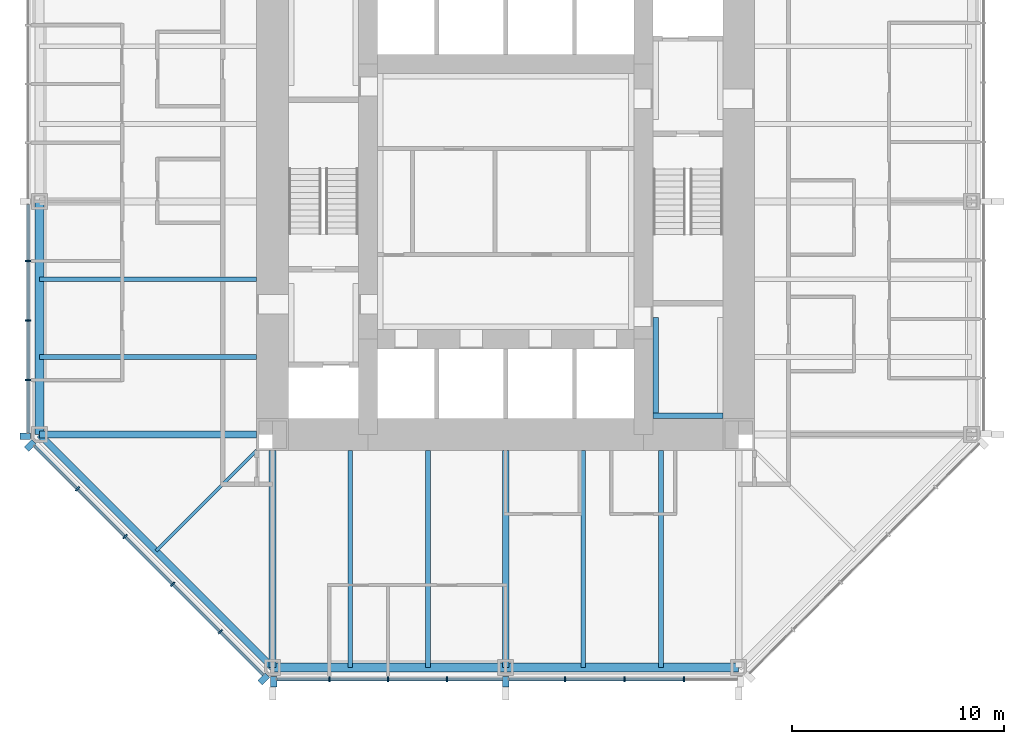
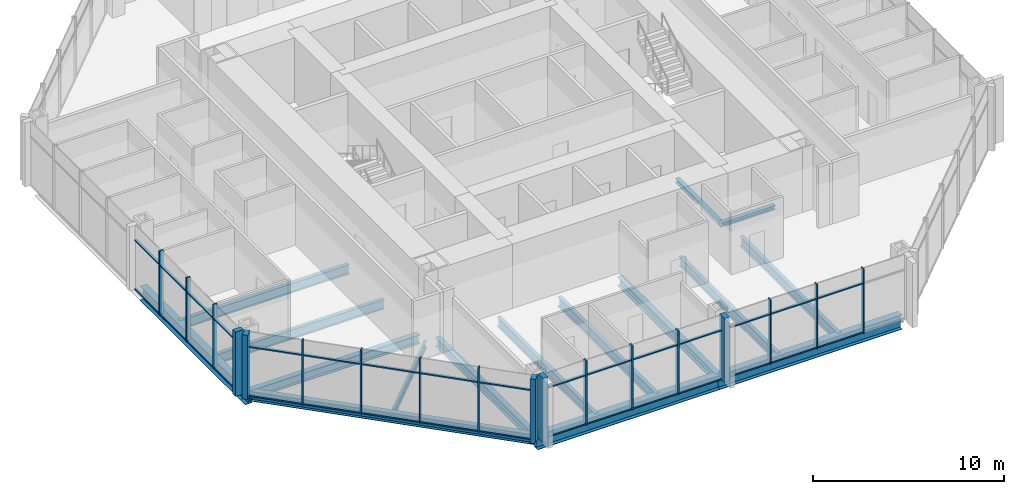
# One storey, part 2 of 12: 50 members, 16 beams, 3 elements without a shape of their own.
"""IFC4 building model written with IfcOpenShell, lengths in metres."""

import ifcopenshell
import ifcopenshell.guid

model = None  # the IFC model being written
_history = None  # IfcOwnerHistory: only IFC2X3 demands one
_inside = {}  # id of a spatial element -> (the spatial element, [elements in it])
_under = {}  # id of a project, library or spatial element -> (it, [spatial elements below it])
_declared = {}  # id of a project -> (the project, [libraries it declares])
_typed = {}  # id of a type object -> (the type object, [elements of that type])
_made_of = {}  # id of a material, layer set ... -> (it, [elements and type objects made of it])


def new_model(schema):
    """Start an empty IFC model of exactly this schema.

    Asked for "IFC4X3", IfcOpenShell would pick the latest addendum, in which some entities
    have other attributes; the version numbers below select the first issue.
    IFC2X3 requires an IfcOwnerHistory on every rooted entity: one is made here for all.
    """
    global model, _history
    if schema == "IFC4X3":
        model = ifcopenshell.file(schema_version=(4, 3, 0, 0))
    else:
        model = ifcopenshell.file(schema=schema)
    _inside.clear()
    _under.clear()
    _declared.clear()
    _typed.clear()
    _made_of.clear()
    _history = None
    if model.schema == "IFC2X3":
        org = make("IfcOrganization", Name="unknown")
        user = make(
            "IfcPersonAndOrganization",
            ThePerson=make("IfcPerson", FamilyName="unknown"),
            TheOrganization=org,
        )
        app = make(
            "IfcApplication",
            ApplicationDeveloper=org,
            Version="unknown",
            ApplicationFullName="unknown",
            ApplicationIdentifier="unknown",
        )
        _history = make(
            "IfcOwnerHistory",
            OwningUser=user,
            OwningApplication=app,
            ChangeAction="ADDED",
            CreationDate=0,
        )
    return model


def make(cls, **values):
    """One entity of the class cls with the attributes given. An attribute that is None is left unset."""
    return model.create_entity(
        cls, **{name: value for name, value in values.items() if value is not None}
    )


def rooted(cls, **values):
    """An entity with a GlobalId (a new one), such as an element, a storey or a relation."""
    return make(cls, GlobalId=ifcopenshell.guid.new(), OwnerHistory=_history, **values)


def si_unit(unit_type, name, prefix=None):
    """IfcSIUnit, for example si_unit("LENGTHUNIT", "METRE", prefix="MILLI")."""
    return make("IfcSIUnit", UnitType=unit_type, Prefix=prefix, Name=name)


def assignment(units):
    """IfcUnitAssignment: the units of a project."""
    return None if units is None else make("IfcUnitAssignment", Units=units)


def point(xyz):
    """IfcCartesianPoint."""
    return None if xyz is None else make("IfcCartesianPoint", Coordinates=xyz)


def direction(xyz):
    """IfcDirection."""
    return None if xyz is None else make("IfcDirection", DirectionRatios=xyz)


def frame(location, z_axis=None, x_axis=None):
    """IfcAxis2Placement3D, a coordinate frame: its origin and axes. An axis left out is left unset."""
    return make(
        "IfcAxis2Placement3D",
        Location=point(location),
        Axis=direction(z_axis),
        RefDirection=direction(x_axis),
    )


def frame_2d(location, x_axis=None):
    """IfcAxis2Placement2D, a coordinate frame in the plane: its origin and x axis."""
    return make(
        "IfcAxis2Placement2D", Location=point(location), RefDirection=direction(x_axis)
    )


def origin():
    """The frame at (0, 0, 0) with its axes left unset."""
    return frame((0.0, 0.0, 0.0))


def origin_2d():
    """The frame at (0, 0) in the plane with its x axis left unset."""
    return frame_2d((0.0, 0.0))


def place(relative_to, where):
    """IfcLocalPlacement: puts the frame where relative to a parent placement (None: the world)."""
    return make(
        "IfcLocalPlacement", PlacementRelTo=relative_to, RelativePlacement=where
    )


def context(
    kind, dimensions, precision=None, world=None, true_north=None, identifier=None
):
    """IfcGeometricRepresentationContext, for example the 3D "Model" context."""
    return make(
        "IfcGeometricRepresentationContext",
        ContextIdentifier=identifier,
        ContextType=kind,
        CoordinateSpaceDimension=dimensions,
        Precision=precision,
        WorldCoordinateSystem=world,
        TrueNorth=true_north,
    )


def subcontext(parent, identifier, kind, view, scale=None):
    """IfcGeometricRepresentationSubContext, for example "Body" below "Model"."""
    return make(
        "IfcGeometricRepresentationSubContext",
        ContextIdentifier=identifier,
        ContextType=kind,
        ParentContext=parent,
        TargetScale=scale,
        TargetView=view,
    )


def project(units=None, contexts=None):
    """IfcProject with its units and contexts."""
    return rooted(
        "IfcProject",
        Name="project",
        RepresentationContexts=contexts,
        UnitsInContext=assignment(units),
    )


def spatial(cls, under=None, at=None, **own):
    """A site, building, storey or space (cls), placed at a placement, below another one or the project."""
    s = rooted(cls, ObjectPlacement=at, **own)
    if under is not None:
        _under.setdefault(under.id(), (under, []))[1].append(s)
    return s


def profile(cls, at=None, kind="AREA", **sizes):
    """A parametric profile (cls). Its sizes go by their IFC names, for example OverallWidth=200.0."""
    return make(cls, ProfileType=kind, Position=at, **sizes)


def rectangle(**sizes):
    """IfcRectangleProfileDef."""
    return profile("IfcRectangleProfileDef", **sizes)


def i_section(**sizes):
    """IfcIShapeProfileDef."""
    return profile("IfcIShapeProfileDef", **sizes)


def extrude(swept, where, along, depth):
    """IfcExtrudedAreaSolid: the profile swept, set in the frame where, extruded along a direction by depth."""
    return make(
        "IfcExtrudedAreaSolid",
        SweptArea=swept,
        Position=where,
        ExtrudedDirection=direction(along),
        Depth=depth,
    )


def shape(context_of_items, identifier, shape_type, items):
    """IfcShapeRepresentation: the items that make up one representation, for example the "Body"."""
    return make(
        "IfcShapeRepresentation",
        ContextOfItems=context_of_items,
        RepresentationIdentifier=identifier,
        RepresentationType=shape_type,
        Items=items,
    )


def material(Name=None, Category=None):
    """IfcMaterial."""
    return make("IfcMaterial", Name=Name, Category=Category)


def material_profile(
    of_material, cross_section, Name=None, Category=None, Priority=None
):
    """IfcMaterialProfile: a cross section and its material."""
    return make(
        "IfcMaterialProfile",
        Name=Name,
        Material=of_material,
        Profile=cross_section,
        Priority=Priority,
        Category=Category,
    )


def profile_set(profiles, Name=None, composite=None):
    """IfcMaterialProfileSet."""
    return make(
        "IfcMaterialProfileSet",
        Name=Name,
        MaterialProfiles=profiles,
        CompositeProfile=composite,
    )


def made_of(thing, what):
    """Note that an element or type object is made of a material, layer set ...; save() writes the relation."""
    if what is not None:
        _made_of.setdefault(what.id(), (what, []))[1].append(thing)
    return thing


def type_object(cls, material=None, **own):
    """A type object (cls), such as IfcWallType, which elements share."""
    return made_of(rooted(cls, **own), material)


def element(
    cls,
    number,
    at=None,
    inside=None,
    cuts=None,
    type_object=None,
    material=None,
    context=None,
    identifier="Body",
    shape_type=None,
    held_by="IfcProductDefinitionShape",
    body=None,
    shapes=None,
    **own,
):
    """One element of the class cls, such as IfcWall. Its Tag is "e" and its number.

    at: its placement. inside: the storey or other place that contains it. cuts: it is an
    opening in that element (IfcRelVoidsElement). A single representation is given by context,
    identifier, shape_type and body (its items); several are given by shapes. held_by: the class
    of the entity that holds the representations. save() writes the other relations.
    """
    e = rooted(cls, Tag="e%d" % number, ObjectPlacement=at, **own)
    if body is not None:
        shapes = [shape(context, identifier, shape_type, body)]
    if shapes is not None:
        e.Representation = make(held_by, Representations=shapes)
    if inside is not None:
        _inside.setdefault(inside.id(), (inside, []))[1].append(e)
    if cuts is not None:
        rooted(
            "IfcRelVoidsElement", RelatingBuildingElement=cuts, RelatedOpeningElement=e
        )
    if type_object is not None:
        _typed.setdefault(type_object.id(), (type_object, []))[1].append(e)
    return made_of(e, material)


def aggregate(whole, parts):
    """IfcRelAggregates: a whole, such as a stair, and the parts it consists of."""
    return rooted("IfcRelAggregates", RelatingObject=whole, RelatedObjects=parts)


def save(model, path):
    """Write the relations noted so far, then the file.

    IfcRelAggregates (storeys below a building ...), IfcRelContainedInSpatialStructure (elements
    in a storey), IfcRelDefinesByType, IfcRelAssociatesMaterial and IfcRelDeclares: one each for
    every whole, place, type object, material and project.
    """
    for whole, parts in _under.values():
        aggregate(whole, parts)
    for where, things in _inside.values():
        rooted(
            "IfcRelContainedInSpatialStructure",
            RelatedElements=things,
            RelatingStructure=where,
        )
    for kind, things in _typed.values():
        rooted("IfcRelDefinesByType", RelatedObjects=things, RelatingType=kind)
    for what, things in _made_of.values():
        rooted("IfcRelAssociatesMaterial", RelatedObjects=things, RelatingMaterial=what)
    for by, libraries in _declared.values():
        rooted("IfcRelDeclares", RelatingContext=by, RelatedDefinitions=libraries)
    model.write(path)


model = new_model("IFC4")

# Units and contexts
model_context = context("Model", 3, precision=1e-05, world=origin(), true_north=direction((0.0, 1.0)))
body_context = subcontext(model_context, "Body", "Model", "MODEL_VIEW")
ifc_project = project(units=[si_unit("LENGTHUNIT", "METRE"), si_unit("AREAUNIT", "SQUARE_METRE"), si_unit("VOLUMEUNIT", "CUBIC_METRE"), si_unit("PLANEANGLEUNIT", "RADIAN"), si_unit("MASSUNIT", "GRAM", prefix="KILO")], contexts=[model_context])

# Site, building, storey
site_placement = place(None, origin())
site = spatial("IfcSite", under=ifc_project, at=site_placement, CompositionType="ELEMENT")
building_placement = place(site_placement, origin())
building = spatial("IfcBuilding", under=site, at=building_placement, Name="Trevanion Tower", CompositionType="ELEMENT")
storey_placement = place(building_placement, frame((0.0, 0.0, 117.199951171875)))
storey = spatial("IfcBuildingStorey", under=building, at=storey_placement, Name="L27", CompositionType="ELEMENT", Elevation=117.199951171875)

# Beams
ifc_material_1 = material(Name="Steel ASTM A992 Grade 50", Category="steel")
ifc_material_profile_1 = material_profile(ifc_material_1, i_section(OverallWidth=0.22900390625, OverallDepth=0.612060546875, WebThickness=0.011962890625, FlangeThickness=0.01953125, at=origin_2d()), Name="W24X84")
ifc_profile_set_1 = profile_set([ifc_material_profile_1], Name="Steel ASTM A992 Grade 50")
beam_type_1 = type_object("IfcBeamType", Name="B7 W24X84", PredefinedType="BEAM", material=ifc_profile_set_1)
for number, where, z_axis, x_axis, name in (
    (1, (-11.75, -3.666748046875, -0.49609375), (-1.0, 0.0, 0.0), (0.0, -1.0, 0.0), "B7 L27"),
    (2, (-11.75, -7.333251953125, -0.49609375), (-1.0, 0.0, 0.0), (0.0, -1.0, 0.0), "B7 L27"),
    (3, (-7.333251953125, -11.75, -0.49609375), (0.0, -1.0, 0.0), (1.0, 0.0, 0.0), "B7 L27"),
    (4, (-3.666748046875, -11.75, -0.49609375), (0.0, -1.0, 0.0), (1.0, 0.0, 0.0), "B7 L27"),
    (5, (3.666748046875, -11.75, -0.49609375), (0.0, -1.0, 0.0), (1.0, 0.0, 0.0), "B7 L27"),
    (6, (7.333251953125, -11.75, -0.49609375), (0.0, -1.0, 0.0), (1.0, 0.0, 0.0), "B7 L27"),
):
    element("IfcBeam", number, at=place(storey_placement, frame(where, z_axis=z_axis, x_axis=x_axis)), inside=storey, type_object=beam_type_1, Name=name, PredefinedType="BEAM", context=body_context, shape_type="SweptSolid", body=[
        extrude(i_section(OverallWidth=0.22900390625, OverallDepth=0.612060546875, WebThickness=0.011962890625, FlangeThickness=0.01953125, at=origin_2d()), origin(), (0.0, 0.0, 1.0), 10.25),
    ])
ifc_material_2 = material(Name="Steel ASTM A992 Grade 50", Category="steel")
ifc_material_profile_2 = material_profile(ifc_material_2, i_section(OverallWidth=0.15234375, OverallDepth=0.449462890625, WebThickness=0.007568359375, FlangeThickness=0.0107421875, at=origin_2d()), Name="W18X35")
ifc_profile_set_2 = profile_set([ifc_material_profile_2], Name="Steel ASTM A992 Grade 50")
beam_type_2 = type_object("IfcBeamType", Name="B8 W18X35", PredefinedType="BEAM", material=ifc_profile_set_2)
beam_1_placement = place(storey_placement, frame((-11.75, -11.75, -0.414794921875), z_axis=(-0.707106781187, -0.707106781187, 0.0), x_axis=(0.707106781187, -0.707106781187, 0.0)))
element("IfcBeam", 7, at=beam_1_placement, inside=storey, type_object=beam_type_2, Name="B8 L27", PredefinedType="BEAM", context=body_context, shape_type="SweptSolid", body=[
    extrude(i_section(OverallWidth=0.15234375, OverallDepth=0.449462890625, WebThickness=0.007568359375, FlangeThickness=0.0107421875, at=origin_2d()), origin(), (0.0, 0.0, 1.0), 6.717529296875),
])

# Curtain wall, members
ifc_material_3 = material(Name="Aluminium and glass", Category="aluminium")
curtain_wall_type = type_object("IfcCurtainWallType", Name="CW2 curtain wall", PredefinedType="USERDEFINED", material=ifc_material_3)
curtain_wall_1_placement = place(storey_placement, origin())
curtain_wall_1 = element("IfcCurtainWall", 8, at=curtain_wall_1_placement, inside=storey, type_object=curtain_wall_type, Name="CW2 L27 4", ObjectType="UNITISED CURTAIN WALL", PredefinedType="USERDEFINED")
ifc_material_4 = material(Name="Aluminium extrusion, anodised bronze", Category="aluminium")
ifc_material_profile_3 = material_profile(ifc_material_4, rectangle(XDim=0.074951171875, YDim=0.25, at=origin_2d()), Name="CW2 mullion")
ifc_profile_set_3 = profile_set([ifc_material_profile_3], Name="Aluminium extrusion, anodised bronze")
member_type_1 = type_object("IfcMemberType", Name="CW2 mullion", PredefinedType="MULLION", material=ifc_profile_set_3)
member_1_placement = place(storey_placement, frame((-22.550048828125, -2.806884765625, -0.18994140625), z_axis=(0.0, 0.0, 1.0), x_axis=(0.0, -1.0, 0.0)))
member_1 = element("IfcMember", 9, at=member_1_placement, type_object=member_type_1, Name="CW2 mullion 6", PredefinedType="MULLION", context=body_context, shape_type="SweptSolid", body=[
    extrude(rectangle(XDim=0.074951171875, YDim=0.25, at=origin_2d()), origin(), (0.0, 0.0, 1.0), 4.10009765625),
])
member_2_placement = place(storey_placement, frame((-22.550048828125, -5.614013671875, -0.18994140625), z_axis=(0.0, 0.0, 1.0), x_axis=(0.0, -1.0, 0.0)))
member_2 = element("IfcMember", 10, at=member_2_placement, type_object=member_type_1, Name="CW2 mullion 7", PredefinedType="MULLION", context=body_context, shape_type="SweptSolid", body=[
    extrude(rectangle(XDim=0.074951171875, YDim=0.25, at=origin_2d()), origin(), (0.0, 0.0, 1.0), 4.10009765625),
])
member_3_placement = place(storey_placement, frame((-22.550048828125, -8.4208984375, -0.18994140625), z_axis=(0.0, 0.0, 1.0), x_axis=(0.0, -1.0, 0.0)))
member_3 = element("IfcMember", 11, at=member_3_placement, type_object=member_type_1, Name="CW2 mullion 8", PredefinedType="MULLION", context=body_context, shape_type="SweptSolid", body=[
    extrude(rectangle(XDim=0.074951171875, YDim=0.25, at=origin_2d()), origin(), (0.0, 0.0, 1.0), 4.10009765625),
])

curtain_wall_2_placement = place(storey_placement, origin())
curtain_wall_2 = element("IfcCurtainWall", 12, at=curtain_wall_2_placement, inside=storey, type_object=curtain_wall_type, Name="CW2 L27 5", ObjectType="UNITISED CURTAIN WALL", PredefinedType="USERDEFINED")
member_4_placement = place(storey_placement, frame((-20.2119140625, -13.56591796875, -0.18994140625), z_axis=(0.0, 0.0, 1.0), x_axis=(0.707106781187, -0.707106781187, 0.0)))
member_4 = element("IfcMember", 13, at=member_4_placement, type_object=member_type_1, Name="CW2 mullion 2", PredefinedType="MULLION", context=body_context, shape_type="SweptSolid", body=[
    extrude(rectangle(XDim=0.074951171875, YDim=0.25, at=origin_2d()), origin(), (0.0, 0.0, 1.0), 4.10009765625),
])
member_5_placement = place(storey_placement, frame((-17.966064453125, -15.811767578125, -0.18994140625), z_axis=(0.0, 0.0, 1.0), x_axis=(0.707106781187, -0.707106781187, 0.0)))
member_5 = element("IfcMember", 14, at=member_5_placement, type_object=member_type_1, Name="CW2 mullion 3", PredefinedType="MULLION", context=body_context, shape_type="SweptSolid", body=[
    extrude(rectangle(XDim=0.074951171875, YDim=0.25, at=origin_2d()), origin(), (0.0, 0.0, 1.0), 4.10009765625),
])
member_6_placement = place(storey_placement, frame((-15.719970703125, -18.057861328125, -0.18994140625), z_axis=(0.0, 0.0, 1.0), x_axis=(0.707106781187, -0.707106781187, 0.0)))
member_6 = element("IfcMember", 15, at=member_6_placement, type_object=member_type_1, Name="CW2 mullion 4", PredefinedType="MULLION", context=body_context, shape_type="SweptSolid", body=[
    extrude(rectangle(XDim=0.074951171875, YDim=0.25, at=origin_2d()), origin(), (0.0, 0.0, 1.0), 4.10009765625),
])
member_7_placement = place(storey_placement, frame((-13.473876953125, -20.303955078125, -0.18994140625), z_axis=(0.0, 0.0, 1.0), x_axis=(0.707106781187, -0.707106781187, 0.0)))
member_7 = element("IfcMember", 16, at=member_7_placement, type_object=member_type_1, Name="CW2 mullion 5", PredefinedType="MULLION", context=body_context, shape_type="SweptSolid", body=[
    extrude(rectangle(XDim=0.074951171875, YDim=0.25, at=origin_2d()), origin(), (0.0, 0.0, 1.0), 4.10009765625),
])

curtain_wall_3_placement = place(storey_placement, origin())
curtain_wall_3 = element("IfcCurtainWall", 17, at=curtain_wall_3_placement, inside=storey, type_object=curtain_wall_type, Name="CW2 L27 6", ObjectType="UNITISED CURTAIN WALL", PredefinedType="USERDEFINED")
member_8_placement = place(storey_placement, frame((-8.323486328125, -22.550048828125, -0.18994140625), z_axis=(0.0, 0.0, 1.0), x_axis=(1.0, 0.0, 0.0)))
member_8 = element("IfcMember", 18, at=member_8_placement, type_object=member_type_1, Name="CW2 mullion 2", PredefinedType="MULLION", context=body_context, shape_type="SweptSolid", body=[
    extrude(rectangle(XDim=0.074951171875, YDim=0.25, at=origin_2d()), origin(), (0.0, 0.0, 1.0), 4.10009765625),
])
member_9_placement = place(storey_placement, frame((-5.548828125, -22.550048828125, -0.18994140625), z_axis=(0.0, 0.0, 1.0), x_axis=(1.0, 0.0, 0.0)))
member_9 = element("IfcMember", 19, at=member_9_placement, type_object=member_type_1, Name="CW2 mullion 3", PredefinedType="MULLION", context=body_context, shape_type="SweptSolid", body=[
    extrude(rectangle(XDim=0.074951171875, YDim=0.25, at=origin_2d()), origin(), (0.0, 0.0, 1.0), 4.10009765625),
])
member_10_placement = place(storey_placement, frame((-2.7744140625, -22.550048828125, -0.18994140625), z_axis=(0.0, 0.0, 1.0), x_axis=(1.0, 0.0, 0.0)))
member_10 = element("IfcMember", 20, at=member_10_placement, type_object=member_type_1, Name="CW2 mullion 4", PredefinedType="MULLION", context=body_context, shape_type="SweptSolid", body=[
    extrude(rectangle(XDim=0.074951171875, YDim=0.25, at=origin_2d()), origin(), (0.0, 0.0, 1.0), 4.10009765625),
])
member_11_placement = place(storey_placement, frame((2.806884765625, -22.550048828125, -0.18994140625), z_axis=(0.0, 0.0, 1.0), x_axis=(1.0, 0.0, 0.0)))
member_11 = element("IfcMember", 21, at=member_11_placement, type_object=member_type_1, Name="CW2 mullion 6", PredefinedType="MULLION", context=body_context, shape_type="SweptSolid", body=[
    extrude(rectangle(XDim=0.074951171875, YDim=0.25, at=origin_2d()), origin(), (0.0, 0.0, 1.0), 4.10009765625),
])
member_12_placement = place(storey_placement, frame((5.614013671875, -22.550048828125, -0.18994140625), z_axis=(0.0, 0.0, 1.0), x_axis=(1.0, 0.0, 0.0)))
member_12 = element("IfcMember", 22, at=member_12_placement, type_object=member_type_1, Name="CW2 mullion 7", PredefinedType="MULLION", context=body_context, shape_type="SweptSolid", body=[
    extrude(rectangle(XDim=0.074951171875, YDim=0.25, at=origin_2d()), origin(), (0.0, 0.0, 1.0), 4.10009765625),
])
member_13_placement = place(storey_placement, frame((8.4208984375, -22.550048828125, -0.18994140625), z_axis=(0.0, 0.0, 1.0), x_axis=(1.0, 0.0, 0.0)))
member_13 = element("IfcMember", 23, at=member_13_placement, type_object=member_type_1, Name="CW2 mullion 8", PredefinedType="MULLION", context=body_context, shape_type="SweptSolid", body=[
    extrude(rectangle(XDim=0.074951171875, YDim=0.25, at=origin_2d()), origin(), (0.0, 0.0, 1.0), 4.10009765625),
])

# Member
ifc_material_5 = material(Name="Aluminium extrusion, anodised bronze", Category="aluminium")
ifc_material_profile_4 = material_profile(ifc_material_5, rectangle(XDim=0.300048828125, YDim=0.5, at=origin_2d()), Name="CW2 pier mullion")
ifc_profile_set_4 = profile_set([ifc_material_profile_4], Name="Aluminium extrusion, anodised bronze")
member_type_2 = type_object("IfcMemberType", Name="CW2 pier mullion", PredefinedType="MULLION", material=ifc_profile_set_4)
member_14_placement = place(storey_placement, frame((-22.675048828125, -11.077880859375, -0.18994140625), z_axis=(0.0, 0.0, 1.0), x_axis=(0.0, -1.0, 0.0)))
member_14 = element("IfcMember", 24, at=member_14_placement, type_object=member_type_2, Name="CW2 pier mullion 9", PredefinedType="MULLION", context=body_context, shape_type="SweptSolid", body=[
    extrude(rectangle(XDim=0.300048828125, YDim=0.5, at=origin_2d()), origin(), (0.0, 0.0, 1.0), 4.10009765625),
])

member_15_placement = place(storey_placement, frame((-22.4404296875, -11.51416015625, -0.18994140625), z_axis=(0.0, 0.0, 1.0), x_axis=(0.707106781187, -0.707106781187, 0.0)))
member_15 = element("IfcMember", 25, at=member_15_placement, type_object=member_type_2, Name="CW2 pier mullion 1", PredefinedType="MULLION", context=body_context, shape_type="SweptSolid", body=[
    extrude(rectangle(XDim=0.300048828125, YDim=0.5, at=origin_2d()), origin(), (0.0, 0.0, 1.0), 4.10009765625),
])

member_16_placement = place(storey_placement, frame((-11.42236328125, -22.5322265625, -0.18994140625), z_axis=(0.0, 0.0, 1.0), x_axis=(0.707106781187, -0.707106781187, 0.0)))
member_16 = element("IfcMember", 26, at=member_16_placement, type_object=member_type_2, Name="CW2 pier mullion 6", PredefinedType="MULLION", context=body_context, shape_type="SweptSolid", body=[
    extrude(rectangle(XDim=0.300048828125, YDim=0.5, at=origin_2d()), origin(), (0.0, 0.0, 1.0), 4.10009765625),
])

member_17_placement = place(storey_placement, frame((-10.94775390625, -22.675048828125, -0.18994140625), z_axis=(0.0, 0.0, 1.0), x_axis=(1.0, 0.0, 0.0)))
member_17 = element("IfcMember", 27, at=member_17_placement, type_object=member_type_2, Name="CW2 pier mullion 1", PredefinedType="MULLION", context=body_context, shape_type="SweptSolid", body=[
    extrude(rectangle(XDim=0.300048828125, YDim=0.5, at=origin_2d()), origin(), (0.0, 0.0, 1.0), 4.10009765625),
])

member_18_placement = place(storey_placement, frame((0.0, -22.675048828125, -0.18994140625), z_axis=(0.0, 0.0, 1.0), x_axis=(1.0, 0.0, 0.0)))
member_18 = element("IfcMember", 28, at=member_18_placement, type_object=member_type_2, Name="CW2 pier mullion 5", PredefinedType="MULLION", context=body_context, shape_type="SweptSolid", body=[
    extrude(rectangle(XDim=0.300048828125, YDim=0.5, at=origin_2d()), origin(), (0.0, 0.0, 1.0), 4.10009765625),
])

ifc_material_6 = material(Name="Aluminium extrusion, anodised bronze", Category="aluminium")
ifc_material_profile_5 = material_profile(ifc_material_6, rectangle(XDim=0.14990234375, YDim=0.074951171875, at=origin_2d()), Name="CW2 transom")
ifc_profile_set_5 = profile_set([ifc_material_profile_5], Name="Aluminium extrusion, anodised bronze")
member_type_3 = type_object("IfcMemberType", Name="CW2 transom", PredefinedType="USERDEFINED", material=ifc_profile_set_5)
member_19_placement = place(storey_placement, frame((-22.550048828125, -0.14990234375, -0.15234375), z_axis=(0.0, -1.0, 0.0), x_axis=(1.0, 0.0, 0.0)))
member_19 = element("IfcMember", 29, at=member_19_placement, type_object=member_type_3, Name="CW2 transom 5.1", ObjectType="TRANSOM", PredefinedType="USERDEFINED", context=body_context, shape_type="SweptSolid", body=[
    extrude(rectangle(XDim=0.14990234375, YDim=0.074951171875, at=origin_2d()), origin(), (0.0, 0.0, 1.0), 2.619384765625),
])

member_20_placement = place(storey_placement, frame((-22.550048828125, -0.14990234375, 2.9599609375), z_axis=(0.0, -1.0, 0.0), x_axis=(1.0, 0.0, 0.0)))
member_20 = element("IfcMember", 30, at=member_20_placement, type_object=member_type_3, Name="CW2 transom 5.2", ObjectType="TRANSOM", PredefinedType="USERDEFINED", context=body_context, shape_type="SweptSolid", body=[
    extrude(rectangle(XDim=0.14990234375, YDim=0.074951171875, at=origin_2d()), origin(), (0.0, 0.0, 1.0), 2.619384765625),
])

member_21_placement = place(storey_placement, frame((-22.550048828125, -2.844482421875, -0.15234375), z_axis=(0.0, -1.0, 0.0), x_axis=(1.0, 0.0, 0.0)))
member_21 = element("IfcMember", 31, at=member_21_placement, type_object=member_type_3, Name="CW2 transom 6.1", ObjectType="TRANSOM", PredefinedType="USERDEFINED", context=body_context, shape_type="SweptSolid", body=[
    extrude(rectangle(XDim=0.14990234375, YDim=0.074951171875, at=origin_2d()), origin(), (0.0, 0.0, 1.0), 2.73193359375),
])

member_22_placement = place(storey_placement, frame((-22.550048828125, -2.844482421875, 2.9599609375), z_axis=(0.0, -1.0, 0.0), x_axis=(1.0, 0.0, 0.0)))
member_22 = element("IfcMember", 32, at=member_22_placement, type_object=member_type_3, Name="CW2 transom 6.2", ObjectType="TRANSOM", PredefinedType="USERDEFINED", context=body_context, shape_type="SweptSolid", body=[
    extrude(rectangle(XDim=0.14990234375, YDim=0.074951171875, at=origin_2d()), origin(), (0.0, 0.0, 1.0), 2.73193359375),
])

member_23_placement = place(storey_placement, frame((-22.550048828125, -5.6513671875, -0.15234375), z_axis=(0.0, -1.0, 0.0), x_axis=(1.0, 0.0, 0.0)))
member_23 = element("IfcMember", 33, at=member_23_placement, type_object=member_type_3, Name="CW2 transom 7.1", ObjectType="TRANSOM", PredefinedType="USERDEFINED", context=body_context, shape_type="SweptSolid", body=[
    extrude(rectangle(XDim=0.14990234375, YDim=0.074951171875, at=origin_2d()), origin(), (0.0, 0.0, 1.0), 2.73193359375),
])

member_24_placement = place(storey_placement, frame((-22.550048828125, -5.6513671875, 2.9599609375), z_axis=(0.0, -1.0, 0.0), x_axis=(1.0, 0.0, 0.0)))
member_24 = element("IfcMember", 34, at=member_24_placement, type_object=member_type_3, Name="CW2 transom 7.2", ObjectType="TRANSOM", PredefinedType="USERDEFINED", context=body_context, shape_type="SweptSolid", body=[
    extrude(rectangle(XDim=0.14990234375, YDim=0.074951171875, at=origin_2d()), origin(), (0.0, 0.0, 1.0), 2.73193359375),
])

member_25_placement = place(storey_placement, frame((-22.550048828125, -8.45849609375, -0.15234375), z_axis=(0.0, -1.0, 0.0), x_axis=(1.0, 0.0, 0.0)))
member_25 = element("IfcMember", 35, at=member_25_placement, type_object=member_type_3, Name="CW2 transom 8.1", ObjectType="TRANSOM", PredefinedType="USERDEFINED", context=body_context, shape_type="SweptSolid", body=[
    extrude(rectangle(XDim=0.14990234375, YDim=0.074951171875, at=origin_2d()), origin(), (0.0, 0.0, 1.0), 2.46923828125),
])

member_26_placement = place(storey_placement, frame((-22.550048828125, -8.45849609375, 2.9599609375), z_axis=(0.0, -1.0, 0.0), x_axis=(1.0, 0.0, 0.0)))
member_26 = element("IfcMember", 36, at=member_26_placement, type_object=member_type_3, Name="CW2 transom 8.2", ObjectType="TRANSOM", PredefinedType="USERDEFINED", context=body_context, shape_type="SweptSolid", body=[
    extrude(rectangle(XDim=0.14990234375, YDim=0.074951171875, at=origin_2d()), origin(), (0.0, 0.0, 1.0), 2.46923828125),
])

aggregate(curtain_wall_1, [member_1, member_2, member_3, member_14, member_19, member_20, member_21, member_22, member_23, member_24, member_25, member_26])

member_27_placement = place(storey_placement, frame((-22.245849609375, -11.531982421875, -0.15234375), z_axis=(0.707106781187, -0.707106781187, 0.0), x_axis=(0.707106781187, 0.707106781187, 0.0)))
member_27 = element("IfcMember", 37, at=member_27_placement, type_object=member_type_3, Name="CW2 transom 1.1", ObjectType="TRANSOM", PredefinedType="USERDEFINED", context=body_context, shape_type="SweptSolid", body=[
    extrude(rectangle(XDim=0.14990234375, YDim=0.074951171875, at=origin_2d()), origin(), (0.0, 0.0, 1.0), 2.8388671875),
])

member_28_placement = place(storey_placement, frame((-22.245849609375, -11.531982421875, 2.9599609375), z_axis=(0.707106781187, -0.707106781187, 0.0), x_axis=(0.707106781187, 0.707106781187, 0.0)))
member_28 = element("IfcMember", 38, at=member_28_placement, type_object=member_type_3, Name="CW2 transom 1.2", ObjectType="TRANSOM", PredefinedType="USERDEFINED", context=body_context, shape_type="SweptSolid", body=[
    extrude(rectangle(XDim=0.14990234375, YDim=0.074951171875, at=origin_2d()), origin(), (0.0, 0.0, 1.0), 2.8388671875),
])

member_29_placement = place(storey_placement, frame((-20.185546875, -13.59228515625, -0.15234375), z_axis=(0.707106781187, -0.707106781187, 0.0), x_axis=(0.707106781187, 0.707106781187, 0.0)))
member_29 = element("IfcMember", 39, at=member_29_placement, type_object=member_type_3, Name="CW2 transom 2.1", ObjectType="TRANSOM", PredefinedType="USERDEFINED", context=body_context, shape_type="SweptSolid", body=[
    extrude(rectangle(XDim=0.14990234375, YDim=0.074951171875, at=origin_2d()), origin(), (0.0, 0.0, 1.0), 3.1015625),
])

member_30_placement = place(storey_placement, frame((-20.185546875, -13.59228515625, 2.9599609375), z_axis=(0.707106781187, -0.707106781187, 0.0), x_axis=(0.707106781187, 0.707106781187, 0.0)))
member_30 = element("IfcMember", 40, at=member_30_placement, type_object=member_type_3, Name="CW2 transom 2.2", ObjectType="TRANSOM", PredefinedType="USERDEFINED", context=body_context, shape_type="SweptSolid", body=[
    extrude(rectangle(XDim=0.14990234375, YDim=0.074951171875, at=origin_2d()), origin(), (0.0, 0.0, 1.0), 3.1015625),
])

member_31_placement = place(storey_placement, frame((-17.939453125, -15.83837890625, -0.15234375), z_axis=(0.707106781187, -0.707106781187, 0.0), x_axis=(0.707106781187, 0.707106781187, 0.0)))
member_31 = element("IfcMember", 41, at=member_31_placement, type_object=member_type_3, Name="CW2 transom 3.1", ObjectType="TRANSOM", PredefinedType="USERDEFINED", context=body_context, shape_type="SweptSolid", body=[
    extrude(rectangle(XDim=0.14990234375, YDim=0.074951171875, at=origin_2d()), origin(), (0.0, 0.0, 1.0), 3.1015625),
])

member_32_placement = place(storey_placement, frame((-17.939453125, -15.83837890625, 2.9599609375), z_axis=(0.707106781187, -0.707106781187, 0.0), x_axis=(0.707106781187, 0.707106781187, 0.0)))
member_32 = element("IfcMember", 42, at=member_32_placement, type_object=member_type_3, Name="CW2 transom 3.2", ObjectType="TRANSOM", PredefinedType="USERDEFINED", context=body_context, shape_type="SweptSolid", body=[
    extrude(rectangle(XDim=0.14990234375, YDim=0.074951171875, at=origin_2d()), origin(), (0.0, 0.0, 1.0), 3.1015625),
])

member_33_placement = place(storey_placement, frame((-15.693359375, -18.08447265625, -0.15234375), z_axis=(0.707106781187, -0.707106781187, 0.0), x_axis=(0.707106781187, 0.707106781187, 0.0)))
member_33 = element("IfcMember", 43, at=member_33_placement, type_object=member_type_3, Name="CW2 transom 4.1", ObjectType="TRANSOM", PredefinedType="USERDEFINED", context=body_context, shape_type="SweptSolid", body=[
    extrude(rectangle(XDim=0.14990234375, YDim=0.074951171875, at=origin_2d()), origin(), (0.0, 0.0, 1.0), 3.10107421875),
])

member_34_placement = place(storey_placement, frame((-15.693359375, -18.08447265625, 2.9599609375), z_axis=(0.707106781187, -0.707106781187, 0.0), x_axis=(0.707106781187, 0.707106781187, 0.0)))
member_34 = element("IfcMember", 44, at=member_34_placement, type_object=member_type_3, Name="CW2 transom 4.2", ObjectType="TRANSOM", PredefinedType="USERDEFINED", context=body_context, shape_type="SweptSolid", body=[
    extrude(rectangle(XDim=0.14990234375, YDim=0.074951171875, at=origin_2d()), origin(), (0.0, 0.0, 1.0), 3.10107421875),
])

member_35_placement = place(storey_placement, frame((-13.447509765625, -20.33056640625, -0.15234375), z_axis=(0.707149778163, -0.707063781595, 0.0), x_axis=(0.707063781595, 0.707149778163, 0.0)))
member_35 = element("IfcMember", 45, at=member_35_placement, type_object=member_type_3, Name="CW2 transom 5.1", ObjectType="TRANSOM", PredefinedType="USERDEFINED", context=body_context, shape_type="SweptSolid", body=[
    extrude(rectangle(XDim=0.14990234375, YDim=0.074951171875, at=origin_2d()), origin(), (0.0, 0.0, 1.0), 2.8388671875),
])

member_36_placement = place(storey_placement, frame((-13.447509765625, -20.33056640625, 2.9599609375), z_axis=(0.707149778163, -0.707063781595, 0.0), x_axis=(0.707063781595, 0.707149778163, 0.0)))
member_36 = element("IfcMember", 46, at=member_36_placement, type_object=member_type_3, Name="CW2 transom 5.2", ObjectType="TRANSOM", PredefinedType="USERDEFINED", context=body_context, shape_type="SweptSolid", body=[
    extrude(rectangle(XDim=0.14990234375, YDim=0.074951171875, at=origin_2d()), origin(), (0.0, 0.0, 1.0), 2.8388671875),
])

aggregate(curtain_wall_2, [member_15, member_4, member_5, member_6, member_7, member_16, member_27, member_28, member_29, member_30, member_31, member_32, member_33, member_34, member_35, member_36])

member_37_placement = place(storey_placement, frame((-10.7978515625, -22.550048828125, -0.15234375), z_axis=(1.0, 0.0, 0.0), x_axis=(0.0, 1.0, 0.0)))
member_37 = element("IfcMember", 47, at=member_37_placement, type_object=member_type_3, Name="CW2 transom 1.1", ObjectType="TRANSOM", PredefinedType="USERDEFINED", context=body_context, shape_type="SweptSolid", body=[
    extrude(rectangle(XDim=0.14990234375, YDim=0.074951171875, at=origin_2d()), origin(), (0.0, 0.0, 1.0), 2.43701171875),
])

member_38_placement = place(storey_placement, frame((-10.7978515625, -22.550048828125, 2.9599609375), z_axis=(1.0, 0.0, 0.0), x_axis=(0.0, 1.0, 0.0)))
member_38 = element("IfcMember", 48, at=member_38_placement, type_object=member_type_3, Name="CW2 transom 1.2", ObjectType="TRANSOM", PredefinedType="USERDEFINED", context=body_context, shape_type="SweptSolid", body=[
    extrude(rectangle(XDim=0.14990234375, YDim=0.074951171875, at=origin_2d()), origin(), (0.0, 0.0, 1.0), 2.43701171875),
])

member_39_placement = place(storey_placement, frame((-8.285888671875, -22.550048828125, -0.15234375), z_axis=(1.0, 0.0, 0.0), x_axis=(0.0, 1.0, 0.0)))
member_39 = element("IfcMember", 49, at=member_39_placement, type_object=member_type_3, Name="CW2 transom 2.1", ObjectType="TRANSOM", PredefinedType="USERDEFINED", context=body_context, shape_type="SweptSolid", body=[
    extrude(rectangle(XDim=0.14990234375, YDim=0.074951171875, at=origin_2d()), origin(), (0.0, 0.0, 1.0), 2.699462890625),
])

member_40_placement = place(storey_placement, frame((-8.285888671875, -22.550048828125, 2.9599609375), z_axis=(1.0, 0.0, 0.0), x_axis=(0.0, 1.0, 0.0)))
member_40 = element("IfcMember", 50, at=member_40_placement, type_object=member_type_3, Name="CW2 transom 2.2", ObjectType="TRANSOM", PredefinedType="USERDEFINED", context=body_context, shape_type="SweptSolid", body=[
    extrude(rectangle(XDim=0.14990234375, YDim=0.074951171875, at=origin_2d()), origin(), (0.0, 0.0, 1.0), 2.699462890625),
])

member_41_placement = place(storey_placement, frame((-5.511474609375, -22.550048828125, -0.15234375), z_axis=(1.0, 0.0, 0.0), x_axis=(0.0, 1.0, 0.0)))
member_41 = element("IfcMember", 51, at=member_41_placement, type_object=member_type_3, Name="CW2 transom 3.1", ObjectType="TRANSOM", PredefinedType="USERDEFINED", context=body_context, shape_type="SweptSolid", body=[
    extrude(rectangle(XDim=0.14990234375, YDim=0.074951171875, at=origin_2d()), origin(), (0.0, 0.0, 1.0), 2.699462890625),
])

member_42_placement = place(storey_placement, frame((-5.511474609375, -22.550048828125, 2.9599609375), z_axis=(1.0, 0.0, 0.0), x_axis=(0.0, 1.0, 0.0)))
member_42 = element("IfcMember", 52, at=member_42_placement, type_object=member_type_3, Name="CW2 transom 3.2", ObjectType="TRANSOM", PredefinedType="USERDEFINED", context=body_context, shape_type="SweptSolid", body=[
    extrude(rectangle(XDim=0.14990234375, YDim=0.074951171875, at=origin_2d()), origin(), (0.0, 0.0, 1.0), 2.699462890625),
])

member_43_placement = place(storey_placement, frame((-2.737060546875, -22.550048828125, -0.15234375), z_axis=(1.0, 0.0, 0.0), x_axis=(0.0, 1.0, 0.0)))
member_43 = element("IfcMember", 53, at=member_43_placement, type_object=member_type_3, Name="CW2 transom 4.1", ObjectType="TRANSOM", PredefinedType="USERDEFINED", context=body_context, shape_type="SweptSolid", body=[
    extrude(rectangle(XDim=0.14990234375, YDim=0.074951171875, at=origin_2d()), origin(), (0.0, 0.0, 1.0), 2.587158203125),
])

member_44_placement = place(storey_placement, frame((-2.737060546875, -22.550048828125, 2.9599609375), z_axis=(1.0, 0.0, 0.0), x_axis=(0.0, 1.0, 0.0)))
member_44 = element("IfcMember", 54, at=member_44_placement, type_object=member_type_3, Name="CW2 transom 4.2", ObjectType="TRANSOM", PredefinedType="USERDEFINED", context=body_context, shape_type="SweptSolid", body=[
    extrude(rectangle(XDim=0.14990234375, YDim=0.074951171875, at=origin_2d()), origin(), (0.0, 0.0, 1.0), 2.587158203125),
])

member_45_placement = place(storey_placement, frame((0.14990234375, -22.550048828125, -0.15234375), z_axis=(1.0, 0.0, 0.0), x_axis=(0.0, 1.0, 0.0)))
member_45 = element("IfcMember", 55, at=member_45_placement, type_object=member_type_3, Name="CW2 transom 5.1", ObjectType="TRANSOM", PredefinedType="USERDEFINED", context=body_context, shape_type="SweptSolid", body=[
    extrude(rectangle(XDim=0.14990234375, YDim=0.074951171875, at=origin_2d()), origin(), (0.0, 0.0, 1.0), 2.619384765625),
])

member_46_placement = place(storey_placement, frame((0.14990234375, -22.550048828125, 2.9599609375), z_axis=(1.0, 0.0, 0.0), x_axis=(0.0, 1.0, 0.0)))
member_46 = element("IfcMember", 56, at=member_46_placement, type_object=member_type_3, Name="CW2 transom 5.2", ObjectType="TRANSOM", PredefinedType="USERDEFINED", context=body_context, shape_type="SweptSolid", body=[
    extrude(rectangle(XDim=0.14990234375, YDim=0.074951171875, at=origin_2d()), origin(), (0.0, 0.0, 1.0), 2.619384765625),
])

member_47_placement = place(storey_placement, frame((2.844482421875, -22.550048828125, -0.15234375), z_axis=(1.0, 0.0, 0.0), x_axis=(0.0, 1.0, 0.0)))
member_47 = element("IfcMember", 57, at=member_47_placement, type_object=member_type_3, Name="CW2 transom 6.1", ObjectType="TRANSOM", PredefinedType="USERDEFINED", context=body_context, shape_type="SweptSolid", body=[
    extrude(rectangle(XDim=0.14990234375, YDim=0.074951171875, at=origin_2d()), origin(), (0.0, 0.0, 1.0), 2.73193359375),
])

member_48_placement = place(storey_placement, frame((2.844482421875, -22.550048828125, 2.9599609375), z_axis=(1.0, 0.0, 0.0), x_axis=(0.0, 1.0, 0.0)))
member_48 = element("IfcMember", 58, at=member_48_placement, type_object=member_type_3, Name="CW2 transom 6.2", ObjectType="TRANSOM", PredefinedType="USERDEFINED", context=body_context, shape_type="SweptSolid", body=[
    extrude(rectangle(XDim=0.14990234375, YDim=0.074951171875, at=origin_2d()), origin(), (0.0, 0.0, 1.0), 2.73193359375),
])

member_49_placement = place(storey_placement, frame((5.6513671875, -22.550048828125, -0.15234375), z_axis=(1.0, 0.0, 0.0), x_axis=(0.0, 1.0, 0.0)))
member_49 = element("IfcMember", 59, at=member_49_placement, type_object=member_type_3, Name="CW2 transom 7.1", ObjectType="TRANSOM", PredefinedType="USERDEFINED", context=body_context, shape_type="SweptSolid", body=[
    extrude(rectangle(XDim=0.14990234375, YDim=0.074951171875, at=origin_2d()), origin(), (0.0, 0.0, 1.0), 2.73193359375),
])

member_50_placement = place(storey_placement, frame((5.6513671875, -22.550048828125, 2.9599609375), z_axis=(1.0, 0.0, 0.0), x_axis=(0.0, 1.0, 0.0)))
member_50 = element("IfcMember", 60, at=member_50_placement, type_object=member_type_3, Name="CW2 transom 7.2", ObjectType="TRANSOM", PredefinedType="USERDEFINED", context=body_context, shape_type="SweptSolid", body=[
    extrude(rectangle(XDim=0.14990234375, YDim=0.074951171875, at=origin_2d()), origin(), (0.0, 0.0, 1.0), 2.73193359375),
])

aggregate(curtain_wall_3, [member_17, member_8, member_9, member_10, member_18, member_11, member_12, member_13, member_37, member_38, member_39, member_40, member_41, member_42, member_43, member_44, member_45, member_46, member_47, member_48, member_49, member_50])

# Beams
ifc_material_7 = material(Name="Steel ASTM A992 Grade 50", Category="steel")
ifc_material_profile_6 = material_profile(ifc_material_7, i_section(OverallWidth=0.320068359375, OverallDepth=0.584228515625, WebThickness=0.023193359375, FlangeThickness=0.04150390625, at=origin_2d()), Name="W21X201")
ifc_profile_set_6 = profile_set([ifc_material_profile_6], Name="Steel ASTM A992 Grade 50")
beam_type_3 = type_object("IfcBeamType", Name="G4 W21X201", PredefinedType="BEAM", material=ifc_profile_set_6)
for number, where, z_axis, x_axis, name in (
    (61, (-11.75, -11.0, -0.48193359375), (-1.0, 0.0, 0.0), (0.0, -1.0, 0.0), "G4 L27"),
    (62, (-11.0, -11.75, -0.48193359375), (0.0, -1.0, 0.0), (1.0, 0.0, 0.0), "G4 L27"),
    (63, (0.0, -11.75, -0.48193359375), (0.0, -1.0, 0.0), (1.0, 0.0, 0.0), "G4 L27"),
):
    element("IfcBeam", number, at=place(storey_placement, frame(where, z_axis=z_axis, x_axis=x_axis)), inside=storey, type_object=beam_type_3, Name=name, PredefinedType="BEAM", context=body_context, shape_type="SweptSolid", body=[
        extrude(i_section(OverallWidth=0.320068359375, OverallDepth=0.584228515625, WebThickness=0.023193359375, FlangeThickness=0.04150390625, at=origin_2d()), origin(), (0.0, 0.0, 1.0), 10.25),
    ])
ifc_material_8 = material(Name="Steel ASTM A992 Grade 50", Category="steel")
ifc_material_profile_7 = material_profile(ifc_material_8, i_section(OverallWidth=0.256591796875, OverallDepth=0.26416015625, WebThickness=0.011962890625, FlangeThickness=0.01953125, at=origin_2d()), Name="W10X68")
ifc_profile_set_7 = profile_set([ifc_material_profile_7], Name="Steel ASTM A992 Grade 50")
beam_type_4 = type_object("IfcBeamType", Name="LB1 W10X68", PredefinedType="BEAM", material=ifc_profile_set_7)
beam_2_placement = place(storey_placement, frame((7.078369140625, -10.25, -0.33203125), z_axis=(0.0, 1.0, 0.0), x_axis=(-1.0, 0.0, 0.0)))
element("IfcBeam", 64, at=beam_2_placement, inside=storey, type_object=beam_type_4, Name="LB1 L27", PredefinedType="BEAM", context=body_context, shape_type="SweptSolid", body=[
    extrude(i_section(OverallWidth=0.256591796875, OverallDepth=0.26416015625, WebThickness=0.011962890625, FlangeThickness=0.01953125, at=origin_2d()), origin(), (0.0, 0.0, 1.0), 4.77490234375),
])
beam_3_placement = place(storey_placement, frame((6.949951171875, -10.12158203125, -0.33203125), z_axis=(1.0, 0.0, 0.0), x_axis=(0.0, 1.0, 0.0)))
element("IfcBeam", 65, at=beam_3_placement, inside=storey, type_object=beam_type_4, Name="LB1 L27", PredefinedType="BEAM", context=body_context, shape_type="SweptSolid", body=[
    extrude(i_section(OverallWidth=0.256591796875, OverallDepth=0.26416015625, WebThickness=0.011962890625, FlangeThickness=0.01953125, at=origin_2d()), origin(), (0.0, 0.0, 1.0), 3.300048828125),
])
ifc_material_9 = material(Name="Steel ASTM A992 Grade 50", Category="steel")
ifc_material_profile_8 = material_profile(ifc_material_9, i_section(OverallWidth=0.419189453125, OverallDepth=0.927001953125, WebThickness=0.019287109375, FlangeThickness=0.031982421875, at=origin_2d()), Name="W36X231")
ifc_profile_set_8 = profile_set([ifc_material_profile_8], Name="Steel ASTM A992 Grade 50")
beam_type_5 = type_object("IfcBeamType", Name="SB4 W36X231", PredefinedType="SPANDREL", material=ifc_profile_set_8)
for number, where, z_axis, x_axis, name in (
    (66, (-22.0, 0.0, -0.653564453125), (0.0, -1.0, 0.0), (1.0, 0.0, 0.0), "SB4 L27"),
    (67, (-11.0, -22.0, -0.653564453125), (1.0, 0.0, 0.0), (0.0, 1.0, 0.0), "SB4 L27"),
    (68, (0.0, -22.0, -0.653564453125), (1.0, 0.0, 0.0), (0.0, 1.0, 0.0), "SB4 L27"),
):
    element("IfcBeam", number, at=place(storey_placement, frame(where, z_axis=z_axis, x_axis=x_axis)), inside=storey, type_object=beam_type_5, Name=name, PredefinedType="SPANDREL", context=body_context, shape_type="SweptSolid", body=[
        extrude(i_section(OverallWidth=0.419189453125, OverallDepth=0.927001953125, WebThickness=0.019287109375, FlangeThickness=0.031982421875, at=origin_2d()), origin(), (0.0, 0.0, 1.0), 11.0),
    ])
ifc_material_10 = material(Name="Steel ASTM A992 Grade 50", Category="steel")
ifc_material_profile_9 = material_profile(ifc_material_10, i_section(OverallWidth=0.32763671875, OverallDepth=0.62744140625, WebThickness=0.0166015625, FlangeThickness=0.027587890625, at=origin_2d()), Name="W24X146")
ifc_profile_set_9 = profile_set([ifc_material_profile_9], Name="Steel ASTM A992 Grade 50")
beam_type_6 = type_object("IfcBeamType", Name="SB5 W24X146", PredefinedType="SPANDREL", material=ifc_profile_set_9)
beam_4_placement = place(storey_placement, frame((-22.0, -11.0, -0.503662109375), z_axis=(0.707106781187, -0.707106781187, 0.0), x_axis=(0.707106781187, 0.707106781187, 0.0)))
element("IfcBeam", 69, at=beam_4_placement, inside=storey, type_object=beam_type_6, Name="SB5 L27", PredefinedType="SPANDREL", context=body_context, shape_type="SweptSolid", body=[
    extrude(i_section(OverallWidth=0.32763671875, OverallDepth=0.62744140625, WebThickness=0.0166015625, FlangeThickness=0.027587890625, at=origin_2d()), origin(), (0.0, 0.0, 1.0), 15.556396484375),
])

save(model, "model.ifc")
